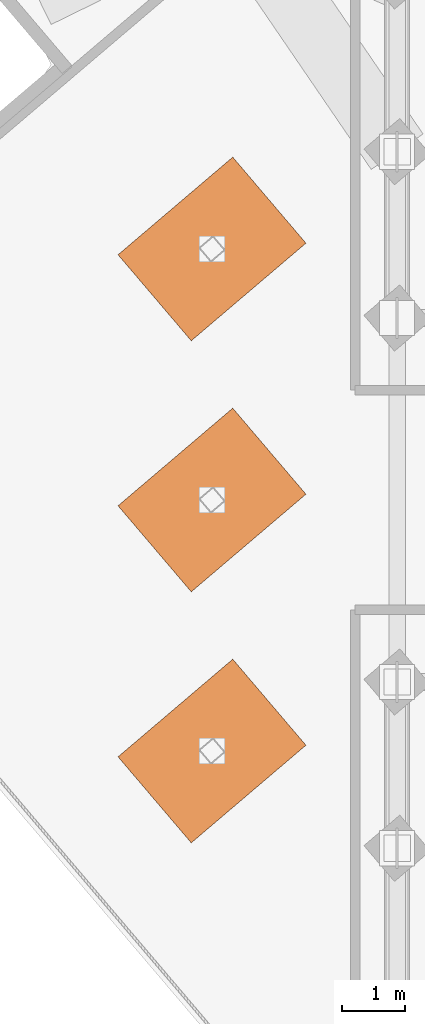
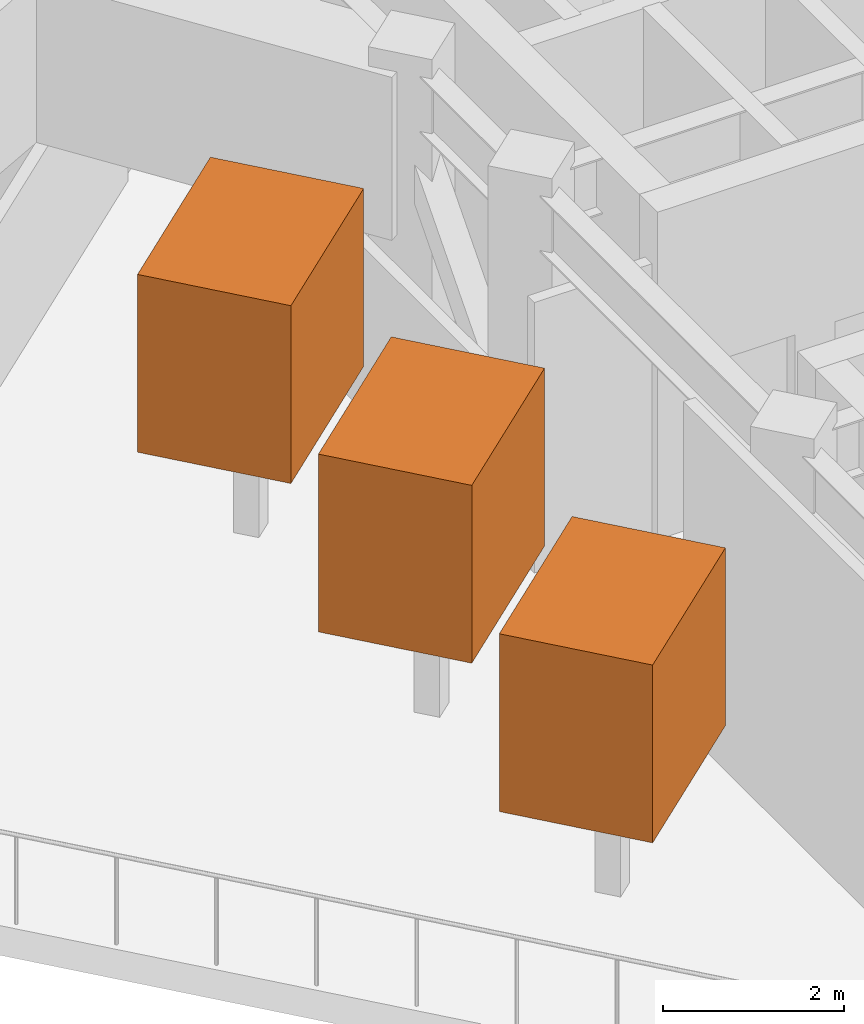
# One storey, part 7 of 7: 3 proxies.
"""IFC4 building model written with IfcOpenShell, lengths in metres."""

import ifcopenshell
import ifcopenshell.guid

model = None  # the IFC model being written
_history = None  # IfcOwnerHistory: only IFC2X3 demands one
_inside = {}  # id of a spatial element -> (the spatial element, [elements in it])
_under = {}  # id of a project, library or spatial element -> (it, [spatial elements below it])
_declared = {}  # id of a project -> (the project, [libraries it declares])
_typed = {}  # id of a type object -> (the type object, [elements of that type])
_made_of = {}  # id of a material, layer set ... -> (it, [elements and type objects made of it])


def new_model(schema):
    """Start an empty IFC model of exactly this schema.

    Asked for "IFC4X3", IfcOpenShell would pick the latest addendum, in which some entities
    have other attributes; the version numbers below select the first issue.
    IFC2X3 requires an IfcOwnerHistory on every rooted entity: one is made here for all.
    """
    global model, _history
    if schema == "IFC4X3":
        model = ifcopenshell.file(schema_version=(4, 3, 0, 0))
    else:
        model = ifcopenshell.file(schema=schema)
    _inside.clear()
    _under.clear()
    _declared.clear()
    _typed.clear()
    _made_of.clear()
    _history = None
    if model.schema == "IFC2X3":
        org = make("IfcOrganization", Name="unknown")
        user = make(
            "IfcPersonAndOrganization",
            ThePerson=make("IfcPerson", FamilyName="unknown"),
            TheOrganization=org,
        )
        app = make(
            "IfcApplication",
            ApplicationDeveloper=org,
            Version="unknown",
            ApplicationFullName="unknown",
            ApplicationIdentifier="unknown",
        )
        _history = make(
            "IfcOwnerHistory",
            OwningUser=user,
            OwningApplication=app,
            ChangeAction="ADDED",
            CreationDate=0,
        )
    return model


def make(cls, **values):
    """One entity of the class cls with the attributes given. An attribute that is None is left unset."""
    return model.create_entity(
        cls, **{name: value for name, value in values.items() if value is not None}
    )


def rooted(cls, **values):
    """An entity with a GlobalId (a new one), such as an element, a storey or a relation."""
    return make(cls, GlobalId=ifcopenshell.guid.new(), OwnerHistory=_history, **values)


def si_unit(unit_type, name, prefix=None):
    """IfcSIUnit, for example si_unit("LENGTHUNIT", "METRE", prefix="MILLI")."""
    return make("IfcSIUnit", UnitType=unit_type, Prefix=prefix, Name=name)


def assignment(units):
    """IfcUnitAssignment: the units of a project."""
    return None if units is None else make("IfcUnitAssignment", Units=units)


def point(xyz):
    """IfcCartesianPoint."""
    return None if xyz is None else make("IfcCartesianPoint", Coordinates=xyz)


def direction(xyz):
    """IfcDirection."""
    return None if xyz is None else make("IfcDirection", DirectionRatios=xyz)


def frame(location, z_axis=None, x_axis=None):
    """IfcAxis2Placement3D, a coordinate frame: its origin and axes. An axis left out is left unset."""
    return make(
        "IfcAxis2Placement3D",
        Location=point(location),
        Axis=direction(z_axis),
        RefDirection=direction(x_axis),
    )


def frame_2d(location, x_axis=None):
    """IfcAxis2Placement2D, a coordinate frame in the plane: its origin and x axis."""
    return make(
        "IfcAxis2Placement2D", Location=point(location), RefDirection=direction(x_axis)
    )


def origin():
    """The frame at (0, 0, 0) with its axes left unset."""
    return frame((0.0, 0.0, 0.0))


def origin_2d():
    """The frame at (0, 0) in the plane with its x axis left unset."""
    return frame_2d((0.0, 0.0))


def place(relative_to, where):
    """IfcLocalPlacement: puts the frame where relative to a parent placement (None: the world)."""
    return make(
        "IfcLocalPlacement", PlacementRelTo=relative_to, RelativePlacement=where
    )


def context(
    kind, dimensions, precision=None, world=None, true_north=None, identifier=None
):
    """IfcGeometricRepresentationContext, for example the 3D "Model" context."""
    return make(
        "IfcGeometricRepresentationContext",
        ContextIdentifier=identifier,
        ContextType=kind,
        CoordinateSpaceDimension=dimensions,
        Precision=precision,
        WorldCoordinateSystem=world,
        TrueNorth=true_north,
    )


def subcontext(parent, identifier, kind, view, scale=None):
    """IfcGeometricRepresentationSubContext, for example "Body" below "Model"."""
    return make(
        "IfcGeometricRepresentationSubContext",
        ContextIdentifier=identifier,
        ContextType=kind,
        ParentContext=parent,
        TargetScale=scale,
        TargetView=view,
    )


def project(units=None, contexts=None):
    """IfcProject with its units and contexts."""
    return rooted(
        "IfcProject",
        Name="project",
        RepresentationContexts=contexts,
        UnitsInContext=assignment(units),
    )


def spatial(cls, under=None, at=None, **own):
    """A site, building, storey or space (cls), placed at a placement, below another one or the project."""
    s = rooted(cls, ObjectPlacement=at, **own)
    if under is not None:
        _under.setdefault(under.id(), (under, []))[1].append(s)
    return s


def profile(cls, at=None, kind="AREA", **sizes):
    """A parametric profile (cls). Its sizes go by their IFC names, for example OverallWidth=200.0."""
    return make(cls, ProfileType=kind, Position=at, **sizes)


def rectangle(**sizes):
    """IfcRectangleProfileDef."""
    return profile("IfcRectangleProfileDef", **sizes)


def extrude(swept, where, along, depth):
    """IfcExtrudedAreaSolid: the profile swept, set in the frame where, extruded along a direction by depth."""
    return make(
        "IfcExtrudedAreaSolid",
        SweptArea=swept,
        Position=where,
        ExtrudedDirection=direction(along),
        Depth=depth,
    )


def shape(context_of_items, identifier, shape_type, items):
    """IfcShapeRepresentation: the items that make up one representation, for example the "Body"."""
    return make(
        "IfcShapeRepresentation",
        ContextOfItems=context_of_items,
        RepresentationIdentifier=identifier,
        RepresentationType=shape_type,
        Items=items,
    )


def material(Name=None, Category=None):
    """IfcMaterial."""
    return make("IfcMaterial", Name=Name, Category=Category)


def made_of(thing, what):
    """Note that an element or type object is made of a material, layer set ...; save() writes the relation."""
    if what is not None:
        _made_of.setdefault(what.id(), (what, []))[1].append(thing)
    return thing


def type_object(cls, material=None, **own):
    """A type object (cls), such as IfcWallType, which elements share."""
    return made_of(rooted(cls, **own), material)


def element(
    cls,
    number,
    at=None,
    inside=None,
    cuts=None,
    type_object=None,
    material=None,
    context=None,
    identifier="Body",
    shape_type=None,
    held_by="IfcProductDefinitionShape",
    body=None,
    shapes=None,
    **own,
):
    """One element of the class cls, such as IfcWall. Its Tag is "e" and its number.

    at: its placement. inside: the storey or other place that contains it. cuts: it is an
    opening in that element (IfcRelVoidsElement). A single representation is given by context,
    identifier, shape_type and body (its items); several are given by shapes. held_by: the class
    of the entity that holds the representations. save() writes the other relations.
    """
    e = rooted(cls, Tag="e%d" % number, ObjectPlacement=at, **own)
    if body is not None:
        shapes = [shape(context, identifier, shape_type, body)]
    if shapes is not None:
        e.Representation = make(held_by, Representations=shapes)
    if inside is not None:
        _inside.setdefault(inside.id(), (inside, []))[1].append(e)
    if cuts is not None:
        rooted(
            "IfcRelVoidsElement", RelatingBuildingElement=cuts, RelatedOpeningElement=e
        )
    if type_object is not None:
        _typed.setdefault(type_object.id(), (type_object, []))[1].append(e)
    return made_of(e, material)


def aggregate(whole, parts):
    """IfcRelAggregates: a whole, such as a stair, and the parts it consists of."""
    return rooted("IfcRelAggregates", RelatingObject=whole, RelatedObjects=parts)


def save(model, path):
    """Write the relations noted so far, then the file.

    IfcRelAggregates (storeys below a building ...), IfcRelContainedInSpatialStructure (elements
    in a storey), IfcRelDefinesByType, IfcRelAssociatesMaterial and IfcRelDeclares: one each for
    every whole, place, type object, material and project.
    """
    for whole, parts in _under.values():
        aggregate(whole, parts)
    for where, things in _inside.values():
        rooted(
            "IfcRelContainedInSpatialStructure",
            RelatedElements=things,
            RelatingStructure=where,
        )
    for kind, things in _typed.values():
        rooted("IfcRelDefinesByType", RelatedObjects=things, RelatingType=kind)
    for what, things in _made_of.values():
        rooted("IfcRelAssociatesMaterial", RelatedObjects=things, RelatingMaterial=what)
    for by, libraries in _declared.values():
        rooted("IfcRelDeclares", RelatingContext=by, RelatedDefinitions=libraries)
    model.write(path)


model = new_model("IFC4")

# Units and contexts
model_context = context("Model", 3, precision=1e-05, world=origin(), true_north=direction((0.0, 1.0)))
body_context = subcontext(model_context, "Body", "Model", "MODEL_VIEW")
ifc_project = project(units=[si_unit("LENGTHUNIT", "METRE"), si_unit("AREAUNIT", "SQUARE_METRE"), si_unit("VOLUMEUNIT", "CUBIC_METRE"), si_unit("PLANEANGLEUNIT", "RADIAN"), si_unit("MASSUNIT", "GRAM", prefix="KILO")], contexts=[model_context])

# Site, building, storey
site_placement = place(None, origin())
site = spatial("IfcSite", under=ifc_project, at=site_placement, CompositionType="ELEMENT")
building_placement = place(site_placement, origin())
building = spatial("IfcBuilding", under=site, at=building_placement, Name="Solmarez Civic Tower", CompositionType="ELEMENT")
storey_placement = place(building_placement, frame((0.0, 0.0, 239.39990234375)))
storey = spatial("IfcBuildingStorey", under=building, at=storey_placement, Name="L64", CompositionType="ELEMENT", Elevation=239.39990234375)

# Proxies
ifc_material = material(Name="Steel S355", Category="steel")
building_element_proxy_type = type_object("IfcBuildingElementProxyType", Name="PROXY-TURBINE-WT", PredefinedType="USERDEFINED", material=ifc_material)
for number, where, z_axis, x_axis, name in (
    (1, (-11.800048828125, -4.0, 1.60009765625), (0.0, 0.0, 1.0), (0.761538307537, 0.648119901063, 0.0), "L64 Shrouded Horizontal-Axis Wind Turbine WT-01"),
    (2, (-11.800048828125, 0.0, 1.60009765625), (0.0, 0.0, 1.0), (0.761538307537, 0.648119901063, 0.0), "L64 Shrouded Horizontal-Axis Wind Turbine WT-02"),
    (3, (-11.800048828125, 4.0, 1.60009765625), (0.0, 0.0, 1.0), (0.761538307537, 0.648119901063, 0.0), "L64 Shrouded Horizontal-Axis Wind Turbine WT-03"),
):
    element("IfcBuildingElementProxy", number, at=place(storey_placement, frame(where, z_axis=z_axis, x_axis=x_axis)), inside=storey, type_object=building_element_proxy_type, Name=name, ObjectType="WIND TURBINE", PredefinedType="USERDEFINED", context=body_context, shape_type="SweptSolid", body=[
        extrude(rectangle(XDim=2.39990234375, YDim=1.800048828125, at=origin_2d()), origin(), (0.0, 0.0, 1.0), 2.39990234375),
    ])

save(model, "model.ifc")
